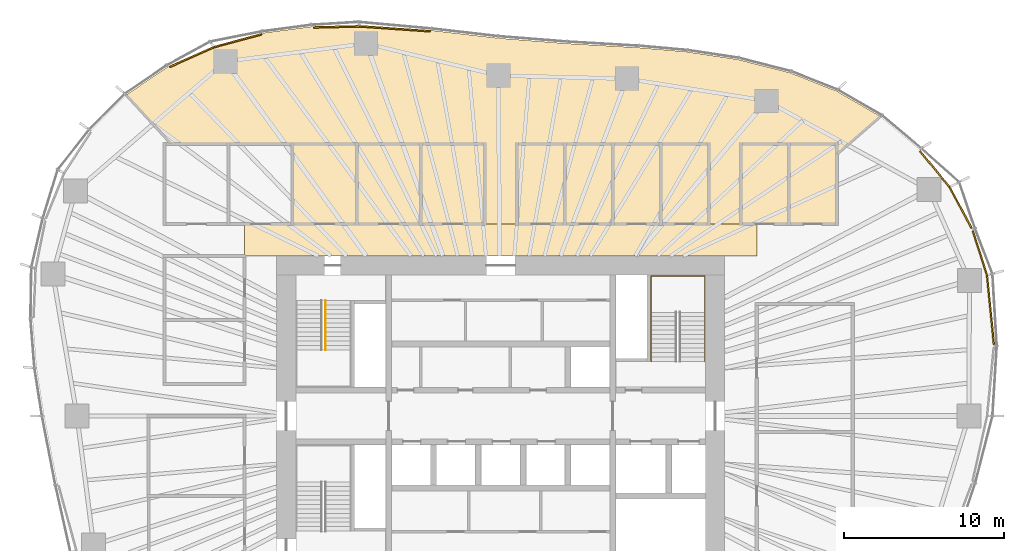
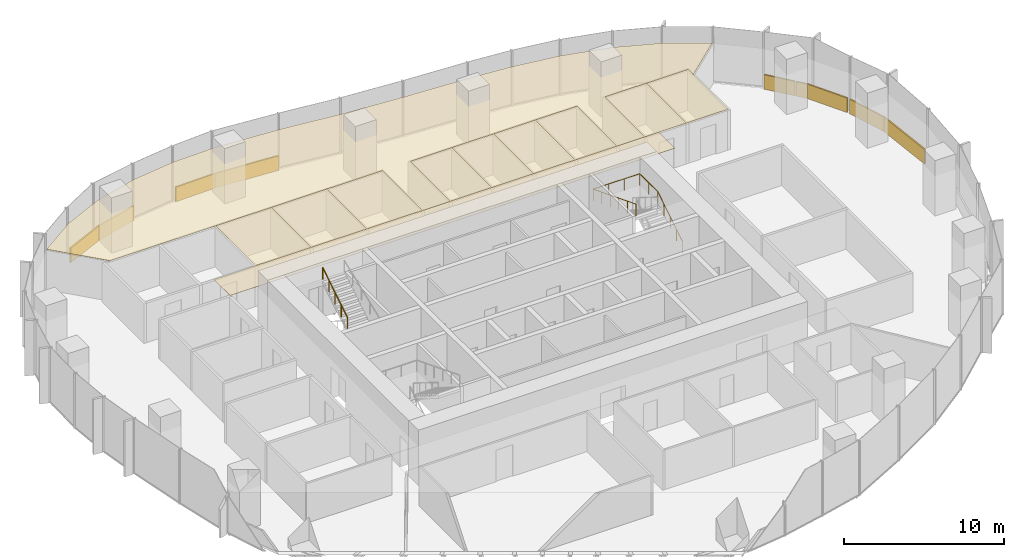
# One storey, part 18 of 18: 20 coverings, 2 railings.
"""IFC4 building model written with IfcOpenShell, lengths in metres."""

from ifc_helpers import new_model, si_unit, direction, frame, origin, origin_2d, place, context, subcontext, project, spatial, polyline, rectangle, circle, outline, extrude, material, layer, layer_set, type_object, element, save


model = new_model("IFC4")

# Units and contexts
model_context = context("Model", 3, precision=1e-05, world=origin(), true_north=direction((0.0, 1.0)))
body_context = subcontext(model_context, "Body", "Model", "MODEL_VIEW")
ifc_project = project(units=[si_unit("LENGTHUNIT", "METRE"), si_unit("AREAUNIT", "SQUARE_METRE"), si_unit("VOLUMEUNIT", "CUBIC_METRE"), si_unit("PLANEANGLEUNIT", "RADIAN"), si_unit("MASSUNIT", "GRAM", prefix="KILO")], contexts=[model_context])

# Site, building, storey
site_placement = place(None, origin())
site = spatial("IfcSite", under=ifc_project, at=site_placement, CompositionType="ELEMENT")
building_placement = place(site_placement, origin())
building = spatial("IfcBuilding", under=site, at=building_placement, Name="Ghaith Harvest Tower", CompositionType="ELEMENT")
storey_placement = place(building_placement, frame((0.0, 0.0, 134.39990234375)))
storey = spatial("IfcBuildingStorey", under=building, at=storey_placement, Name="L28", CompositionType="ELEMENT", Elevation=134.39990234375)

# Coverings
ifc_material_1 = material(Name="Mineral fibre ceiling tile", Category="gypsum")
ifc_layer_1 = layer(ifc_material_1, 0.02001953125)
ifc_layer_set_1 = layer_set([ifc_layer_1], Name="CEILING C1")
covering_type_1 = type_object("IfcCoveringType", Name="CEILING C1", PredefinedType="CEILING", material=ifc_layer_set_1)
covering_1_placement = place(storey_placement, frame((0.0, 0.0, 3.0)))
element("IfcCovering", 1, at=covering_1_placement, inside=storey, type_object=covering_type_1, Name="Ceiling L28-06", PredefinedType="CEILING", context=body_context, shape_type="SweptSolid", body=[
    extrude(outline(polyline([(-13.0, 12.0), (-9.0, 12.0), (-9.0, 17.0), (-13.0, 17.0), (-13.0, 12.0)])), origin(), (0.0, 0.0, 1.0), 0.02001953125),
])
covering_2_placement = place(storey_placement, frame((0.0, 0.0, 3.0)))
element("IfcCovering", 2, at=covering_2_placement, inside=storey, type_object=covering_type_1, Name="Ceiling L28-07", PredefinedType="CEILING", context=body_context, shape_type="SweptSolid", body=[
    extrude(outline(polyline([(-9.0, 12.0), (-5.0, 12.0), (-5.0, 17.0), (-9.0, 17.0), (-9.0, 12.0)])), origin(), (0.0, 0.0, 1.0), 0.02001953125),
])
covering_3_placement = place(storey_placement, frame((0.0, 0.0, 3.0)))
element("IfcCovering", 3, at=covering_3_placement, inside=storey, type_object=covering_type_1, Name="Ceiling L28-08", PredefinedType="CEILING", context=body_context, shape_type="SweptSolid", body=[
    extrude(outline(polyline([(-5.0, 12.0), (-1.0, 12.0), (-1.0, 17.0), (-5.0, 17.0), (-5.0, 12.0)])), origin(), (0.0, 0.0, 1.0), 0.02001953125),
])
covering_4_placement = place(storey_placement, frame((0.0, 0.0, 3.0)))
element("IfcCovering", 4, at=covering_4_placement, inside=storey, type_object=covering_type_1, Name="Ceiling L28-09", PredefinedType="CEILING", context=body_context, shape_type="SweptSolid", body=[
    extrude(outline(polyline([(1.0, 12.0), (4.0, 12.0), (4.0, 17.0), (1.0, 17.0), (1.0, 12.0)])), origin(), (0.0, 0.0, 1.0), 0.02001953125),
])
covering_5_placement = place(storey_placement, frame((0.0, 0.0, 3.0)))
element("IfcCovering", 5, at=covering_5_placement, inside=storey, type_object=covering_type_1, Name="Ceiling L28-10", PredefinedType="CEILING", context=body_context, shape_type="SweptSolid", body=[
    extrude(outline(polyline([(4.0, 12.0), (7.0, 12.0), (7.0, 17.0), (4.0, 17.0), (4.0, 12.0)])), origin(), (0.0, 0.0, 1.0), 0.02001953125),
])
covering_6_placement = place(storey_placement, frame((0.0, 0.0, 3.0)))
element("IfcCovering", 6, at=covering_6_placement, inside=storey, type_object=covering_type_1, Name="Ceiling L28-11", PredefinedType="CEILING", context=body_context, shape_type="SweptSolid", body=[
    extrude(outline(polyline([(7.0, 12.0), (10.0, 12.0), (10.0, 17.0), (7.0, 17.0), (7.0, 12.0)])), origin(), (0.0, 0.0, 1.0), 0.02001953125),
])
covering_7_placement = place(storey_placement, frame((0.0, 0.0, 3.0)))
element("IfcCovering", 7, at=covering_7_placement, inside=storey, type_object=covering_type_1, Name="Ceiling L28-12", PredefinedType="CEILING", context=body_context, shape_type="SweptSolid", body=[
    extrude(outline(polyline([(10.0, 12.0), (13.0, 12.0), (13.0, 17.0), (10.0, 17.0), (10.0, 12.0)])), origin(), (0.0, 0.0, 1.0), 0.02001953125),
])
covering_8_placement = place(storey_placement, frame((0.0, 0.0, 3.0)))
element("IfcCovering", 8, at=covering_8_placement, inside=storey, type_object=covering_type_1, Name="Ceiling L28-17", PredefinedType="CEILING", context=body_context, shape_type="SweptSolid", body=[
    extrude(outline(polyline([(15.0, 12.0), (18.0, 12.0), (18.0, 17.0), (15.0, 17.0), (15.0, 12.0)])), origin(), (0.0, 0.0, 1.0), 0.02001953125),
])
covering_9_placement = place(storey_placement, frame((0.0, 0.0, 3.0)))
element("IfcCovering", 9, at=covering_9_placement, inside=storey, type_object=covering_type_1, Name="Ceiling L28-18", PredefinedType="CEILING", context=body_context, shape_type="SweptSolid", body=[
    extrude(outline(polyline([(18.0, 12.0), (21.0, 12.0), (21.0, 17.0), (18.0, 17.0), (18.0, 12.0)])), origin(), (0.0, 0.0, 1.0), 0.02001953125),
])
covering_10_placement = place(storey_placement, frame((0.0, 0.0, 3.0)))
element("IfcCovering", 10, at=covering_10_placement, inside=storey, type_object=covering_type_1, Name="Ceiling L28-C1", PredefinedType="CEILING", context=body_context, shape_type="SweptSolid", body=[
    extrude(outline(polyline([(16.0, 10.0), (-16.0, 10.0), (-16.0, 12.0), (16.0, 12.0), (16.0, 10.0)])), origin(), (0.0, 0.0, 1.0), 0.02001953125),
])
covering_11_placement = place(storey_placement, frame((0.0, 0.0, 3.0)))
element("IfcCovering", 11, at=covering_11_placement, inside=storey, type_object=covering_type_1, Name="Ceiling L28-N1", PredefinedType="CEILING", context=body_context, shape_type="SweptSolid", body=[
    extrude(outline(polyline([(-20.79248046875, 21.82470703125), (-17.938232421875, 23.097412109375), (-14.860595703125, 23.927978515625), (-11.788818359375, 24.331787109375), (-8.814208984375, 24.404541015625), (-4.302001953125, 24.089111328125), (-0.16162109375, 23.609619140625), (4.125732421875, 23.272705078125), (8.604736328125, 23.017333984375), (11.617919921875, 22.757080078125), (14.79833984375, 22.27978515625), (18.0849609375, 21.4462890625), (20.97998046875, 20.3056640625), (23.7275390625, 18.718017578125), (21.0, 16.3466796875), (21.0, 17.0), (15.0, 17.0), (15.0, 12.0), (13.0, 12.0), (13.0, 17.0), (1.0, 17.0), (1.0, 12.0), (-1.0, 12.0), (-1.0, 17.0), (-20.5888671875, 17.0), (-23.398193359375, 20.06103515625), (-20.79248046875, 21.82470703125)])), origin(), (0.0, 0.0, 1.0), 0.02001953125),
])

# Railings
ifc_material_2 = material(Name="Steel, black powder-coated", Category="steel")
railing_type = type_object("IfcRailingType", Name="HANDRAIL HR1", PredefinedType="HANDRAIL", material=ifc_material_2)
railing_1_placement = place(storey_placement, frame((-10.949951171875, 4.1201171875, 2.275146484375)))
element("IfcRailing", 12, at=railing_1_placement, inside=storey, type_object=railing_type, Name="Handrail HR1 stair ST1 L28 flight 2 inner", PredefinedType="HANDRAIL", context=body_context, shape_type="SweptSolid", body=[
    extrude(circle(Radius=0.02392578125, at=origin_2d()), frame((0.0, 0.0, 0.8759765625), z_axis=(0.0, 0.847979421464, 0.530029150871), x_axis=(-1.0, 0.0, 0.0)), (0.0, 0.0, 1.0), 3.632080078125),
    extrude(circle(Radius=0.02099609375, at=origin_2d()), origin(), (0.0, 0.0, 1.0), 0.851806640625),
    extrude(circle(Radius=0.02099609375, at=origin_2d()), frame((0.0, 0.77001953125, 0.481201171875)), (0.0, 0.0, 1.0), 0.851806640625),
    extrude(circle(Radius=0.02099609375, at=origin_2d()), frame((0.0, 1.5400390625, 0.96240234375)), (0.0, 0.0, 1.0), 0.851806640625),
    extrude(circle(Radius=0.02099609375, at=origin_2d()), frame((0.0, 2.309814453125, 1.44384765625)), (0.0, 0.0, 1.0), 0.851806640625),
    extrude(circle(Radius=0.02099609375, at=origin_2d()), frame((0.0, 3.079833984375, 1.925048828125)), (0.0, 0.0, 1.0), 0.851806640625),
])
railing_2_placement = place(storey_placement, frame((12.75, 3.39990234375, 0.175048828125)))
element("IfcRailing", 13, at=railing_2_placement, inside=storey, type_object=railing_type, Name="Handrail HR1 stair ST2 L28 wall side", PredefinedType="HANDRAIL", context=body_context, shape_type="SweptSolid", body=[
    extrude(circle(Radius=0.02392578125, at=origin_2d()), frame((0.0, 0.0, 0.8759765625), z_axis=(0.0, 0.847998304005, 0.529998940003), x_axis=(-1.0, 0.0, 0.0)), (0.0, 0.0, 1.0), 3.632080078125),
    extrude(circle(Radius=0.02392578125, at=origin_2d()), frame((0.0, 3.080078125, 2.80078125), z_axis=(0.0, 1.0, 0.0), x_axis=(-1.0, 0.0, 0.0)), (0.0, 0.0, 1.0), 2.27001953125),
    extrude(circle(Radius=0.02392578125, at=origin_2d()), frame((0.0, 5.35009765625, 2.80078125), z_axis=(-1.0, 0.0, 0.0), x_axis=(0.0, -1.0, 0.0)), (0.0, 0.0, 1.0), 3.35009765625),
    extrude(circle(Radius=0.02392578125, at=origin_2d()), frame((-3.35009765625, 5.35009765625, 2.80078125), z_axis=(0.0, -0.930853684876, 0.365392141887), x_axis=(1.0, 0.0, 0.0)), (0.0, 0.0, 1.0), 5.74755859375),
    extrude(circle(Radius=0.02099609375, at=origin_2d()), origin(), (0.0, 0.0, 1.0), 0.851806640625),
    extrude(circle(Radius=0.02099609375, at=origin_2d()), frame((0.0, 0.77001953125, 0.481201171875)), (0.0, 0.0, 1.0), 0.851806640625),
    extrude(circle(Radius=0.02099609375, at=origin_2d()), frame((0.0, 1.5400390625, 0.96240234375)), (0.0, 0.0, 1.0), 0.851806640625),
    extrude(circle(Radius=0.02099609375, at=origin_2d()), frame((0.0, 2.31005859375, 1.44384765625)), (0.0, 0.0, 1.0), 0.851806640625),
    extrude(circle(Radius=0.02099609375, at=origin_2d()), frame((0.0, 3.080078125, 1.925048828125)), (0.0, 0.0, 1.0), 0.851806640625),
    extrude(circle(Radius=0.02099609375, at=origin_2d()), frame((0.0, 4.215087890625, 1.925048828125)), (0.0, 0.0, 1.0), 0.851806640625),
    extrude(circle(Radius=0.02099609375, at=origin_2d()), frame((0.0, 5.35009765625, 1.925048828125)), (0.0, 0.0, 1.0), 0.851806640625),
    extrude(circle(Radius=0.02099609375, at=origin_2d()), frame((-1.11669921875, 5.35009765625, 1.925048828125)), (0.0, 0.0, 1.0), 0.851806640625),
    extrude(circle(Radius=0.02099609375, at=origin_2d()), frame((-2.2333984375, 5.35009765625, 1.925048828125)), (0.0, 0.0, 1.0), 0.851806640625),
    extrude(circle(Radius=0.02099609375, at=origin_2d()), frame((-3.35009765625, 5.35009765625, 1.925048828125)), (0.0, 0.0, 1.0), 0.851806640625),
    extrude(circle(Radius=0.02099609375, at=origin_2d()), frame((-3.35009765625, 4.280029296875, 2.344970703125)), (0.0, 0.0, 1.0), 0.851806640625),
    extrude(circle(Radius=0.02099609375, at=origin_2d()), frame((-3.35009765625, 3.2099609375, 2.76513671875)), (0.0, 0.0, 1.0), 0.851806640625),
    extrude(circle(Radius=0.02099609375, at=origin_2d()), frame((-3.35009765625, 2.14013671875, 3.18505859375)), (0.0, 0.0, 1.0), 0.851806640625),
    extrude(circle(Radius=0.02099609375, at=origin_2d()), frame((-3.35009765625, 1.070068359375, 3.605224609375)), (0.0, 0.0, 1.0), 0.851806640625),
    extrude(circle(Radius=0.02099609375, at=origin_2d()), frame((-3.35009765625, 0.0, 4.025146484375)), (0.0, 0.0, 1.0), 0.851806640625),
])

# Coverings
ifc_material_3 = material(Name="Insulated aluminium spandrel panel on steel framing", Category="steel")
ifc_layer_2 = layer(ifc_material_3, 0.10009765625)
ifc_layer_set_2 = layer_set([ifc_layer_2], Name="SLAB EDGE UPSTAND 1100x100")
covering_type_2 = type_object("IfcCoveringType", Name="SLAB EDGE UPSTAND 1100x100", PredefinedType="CLADDING", material=ifc_layer_set_2)
covering_12_placement = place(storey_placement, frame((30.604736328125, 6.630126953125, 0.0), z_axis=(0.0, 0.0, 1.0), x_axis=(-0.099131765681, 0.995074315332, 0.0)))
element("IfcCovering", 14, at=covering_12_placement, inside=storey, type_object=covering_type_2, Name="Slab edge upstand 2 bay 01 L28", PredefinedType="CLADDING", context=body_context, shape_type="SweptSolid", body=[
    extrude(rectangle(XDim=4.346435546875, YDim=0.10009765625, at=origin_2d()), origin(), (0.0, 0.0, 1.0), 1.10009765625),
])
covering_13_placement = place(storey_placement, frame((29.948486328125, 10.171875, 0.0), z_axis=(0.0, 0.0, 1.0), x_axis=(-0.303716894855, 0.952762324916, 0.0)))
element("IfcCovering", 15, at=covering_13_placement, inside=storey, type_object=covering_type_2, Name="Slab edge upstand 1 bay 02 L28", PredefinedType="CLADDING", context=body_context, shape_type="SweptSolid", body=[
    extrude(rectangle(XDim=2.916748046875, YDim=0.10009765625, at=origin_2d()), origin(), (0.0, 0.0, 1.0), 1.10009765625),
])
covering_14_placement = place(storey_placement, frame((28.738037109375, 13.018798828125, 0.0), z_axis=(0.0, 0.0, 1.0), x_axis=(-0.475408661811, 0.87976508471, 0.0)))
element("IfcCovering", 16, at=covering_14_placement, inside=storey, type_object=covering_type_2, Name="Slab edge upstand 2 bay 02 L28", PredefinedType="CLADDING", context=body_context, shape_type="SweptSolid", body=[
    extrude(rectangle(XDim=2.91650390625, YDim=0.10009765625, at=origin_2d()), origin(), (0.0, 0.0, 1.0), 1.10009765625),
])
covering_15_placement = place(storey_placement, frame((27.806396484375, 14.592041015625, 0.0), z_axis=(0.0, 0.0, 1.0), x_axis=(-0.632969558548, 0.774176683937, 0.0)))
element("IfcCovering", 17, at=covering_15_placement, inside=storey, type_object=covering_type_2, Name="Slab edge upstand 3 bay 02 L28", PredefinedType="CLADDING", context=body_context, shape_type="SweptSolid", body=[
    extrude(rectangle(XDim=0.77001953125, YDim=0.10009765625, at=origin_2d()), origin(), (0.0, 0.0, 1.0), 1.10009765625),
])
covering_16_placement = place(storey_placement, frame((26.863525390625, 15.7451171875, 0.0), z_axis=(0.0, 0.0, 1.0), x_axis=(-0.632969558548, 0.774176683937, 0.0)))
element("IfcCovering", 18, at=covering_16_placement, inside=storey, type_object=covering_type_2, Name="Slab edge upstand 3 bay 02 L28", PredefinedType="CLADDING", context=body_context, shape_type="SweptSolid", body=[
    extrude(rectangle(XDim=2.083740234375, YDim=0.10009765625, at=origin_2d()), origin(), (0.0, 0.0, 1.0), 1.10009765625),
])
covering_17_placement = place(storey_placement, frame((-6.611572265625, 24.200439453125, 0.0), z_axis=(0.0, 0.0, 1.0), x_axis=(-0.997566199698, 0.069725728542, 0.0)))
element("IfcCovering", 19, at=covering_17_placement, inside=storey, type_object=covering_type_2, Name="Slab edge upstand 2 bay 06 L28", PredefinedType="CLADDING", context=body_context, shape_type="SweptSolid", body=[
    extrude(rectangle(XDim=4.42333984375, YDim=0.10009765625, at=origin_2d()), origin(), (0.0, 0.0, 1.0), 1.10009765625),
])
covering_18_placement = place(storey_placement, frame((-10.25048828125, 24.3193359375, 0.0), z_axis=(0.0, 0.0, 1.0), x_axis=(-0.999700846757, -0.024458474865, 0.0)))
element("IfcCovering", 20, at=covering_18_placement, inside=storey, type_object=covering_type_2, Name="Slab edge upstand 1 bay 07 L28", PredefinedType="CLADDING", context=body_context, shape_type="SweptSolid", body=[
    extrude(rectangle(XDim=2.87548828125, YDim=0.10009765625, at=origin_2d()), origin(), (0.0, 0.0, 1.0), 1.10009765625),
])
covering_19_placement = place(storey_placement, frame((-16.4345703125, 23.451416015625, 0.0), z_axis=(0.0, 0.0, 1.0), x_axis=(-0.965455035926, -0.260569709685, 0.0)))
element("IfcCovering", 21, at=covering_19_placement, inside=storey, type_object=covering_type_2, Name="Slab edge upstand 3 bay 07 L28", PredefinedType="CLADDING", context=body_context, shape_type="SweptSolid", body=[
    extrude(rectangle(XDim=3.087890625, YDim=0.10009765625, at=origin_2d()), origin(), (0.0, 0.0, 1.0), 1.10009765625),
])
covering_20_placement = place(storey_placement, frame((-19.29931640625, 22.435791015625, 0.0), z_axis=(0.0, 0.0, 1.0), x_axis=(-0.913334621001, -0.40720986, 0.0)))
element("IfcCovering", 22, at=covering_20_placement, inside=storey, type_object=covering_type_2, Name="Slab edge upstand 1 bay 08 L28", PredefinedType="CLADDING", context=body_context, shape_type="SweptSolid", body=[
    extrude(rectangle(XDim=3.025146484375, YDim=0.10009765625, at=origin_2d()), origin(), (0.0, 0.0, 1.0), 1.10009765625),
])

save(model, "model.ifc")
